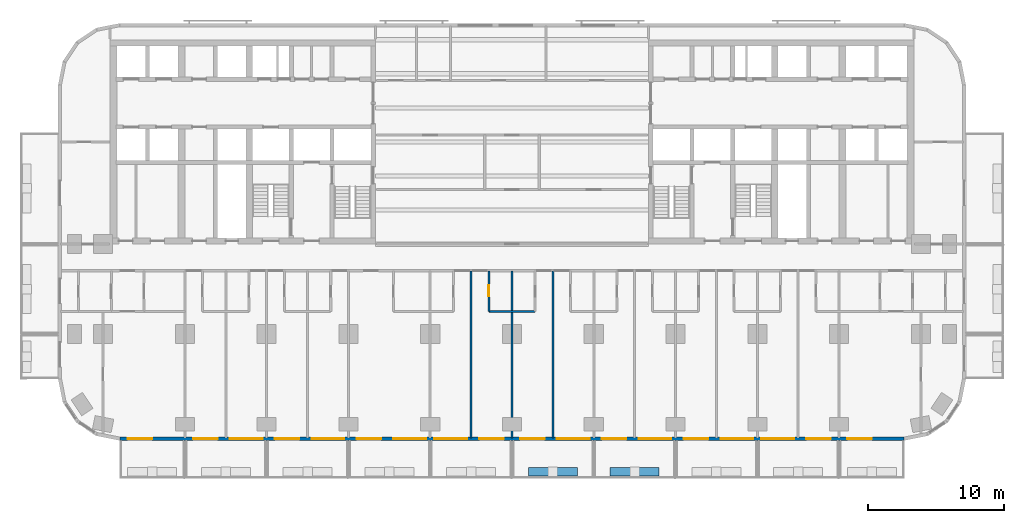
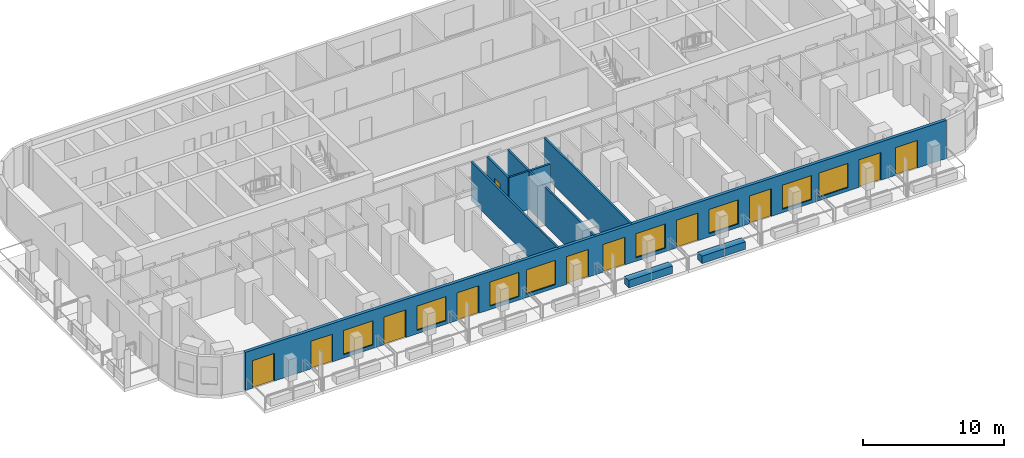
# One storey, part 5 of 15: 11 doors, 8 walls, 8 windows, 19 openings.
"""IFC4 building model written with IfcOpenShell, lengths in metres."""

from ifc_helpers import new_model, si_unit, direction, frame, frame_2d, origin, place, context, subcontext, project, spatial, rectangle, extrude, material, layer, layer_set, type_object, element, fill, save


model = new_model("IFC4")

# Units and contexts
model_context = context("Model", 3, precision=1e-05, world=origin(), true_north=direction((0.0, 1.0)))
body_context = subcontext(model_context, "Body", "Model", "MODEL_VIEW")
ifc_project = project(units=[si_unit("LENGTHUNIT", "METRE"), si_unit("AREAUNIT", "SQUARE_METRE"), si_unit("VOLUMEUNIT", "CUBIC_METRE"), si_unit("PLANEANGLEUNIT", "RADIAN"), si_unit("MASSUNIT", "GRAM", prefix="KILO")], contexts=[model_context])

# Site, building, storey
site_placement = place(None, origin())
site = spatial("IfcSite", under=ifc_project, at=site_placement, CompositionType="ELEMENT")
building_placement = place(site_placement, origin())
building = spatial("IfcBuilding", under=site, at=building_placement, Name="Torana Hotel and Residences", CompositionType="ELEMENT")
storey_placement = place(building_placement, frame((0.0, 0.0, 31.199951171875)))
storey = spatial("IfcBuildingStorey", under=building, at=storey_placement, Name="L06", CompositionType="ELEMENT", Elevation=31.199951171875)

# Wall, openings, doors, windows
ifc_material_1 = material(Name="Black aluminium composite panel", Category="aluminium")
ifc_layer_1 = layer(ifc_material_1, 0.00390625, Name="Cladding", Category="cladding")
ifc_material_2 = material(Name="Ventilated air cavity")
ifc_layer_2 = layer(ifc_material_2, 0.0400390625, Name="Ventilated cavity", Category="cavity")
ifc_material_3 = material(Name="Mineral wool insulation")
ifc_layer_3 = layer(ifc_material_3, 0.090087890625, Name="Insulation", Category="insulation")
ifc_material_4 = material(Name="Steel S280GD", Category="steel")
ifc_layer_4 = layer(ifc_material_4, 0.092041015625, Name="Steel stud frame", Category="structure")
ifc_material_5 = material(Name="Fire rated plasterboard")
ifc_layer_5 = layer(ifc_material_5, 0.011962890625, Name="Inner board", Category="finish")
ifc_layer_6 = layer(ifc_material_5, 0.011962890625, Name="Second board", Category="finish")
ifc_layer_set_1 = layer_set([ifc_layer_1, ifc_layer_2, ifc_layer_3, ifc_layer_4, ifc_layer_5, ifc_layer_6], Name="EW1 EXTERNAL WALL BLACK METAL CLAD 250")
wall_type_1 = type_object("IfcWallType", Name="EW1 EXTERNAL WALL BLACK METAL CLAD 250", PredefinedType="SOLIDWALL", material=ifc_layer_set_1)
wall_1_placement = place(storey_placement, frame((-28.775390625, -29.27490234375, 0.0), z_axis=(0.0, 0.0, 1.0), x_axis=(1.0, 0.0, 0.0)))
wall_1 = element("IfcWall", 1, at=wall_1_placement, inside=storey, type_object=wall_type_1, Name="External wall L06 e0.14", PredefinedType="SOLIDWALL", context=body_context, shape_type="SweptSolid", body=[
    extrude(rectangle(XDim=57.55078125, YDim=0.25, at=frame_2d((28.775390625, 0.0))), origin(), (0.0, 0.0, 1.0), 3.320068359375),
])
opening_1_placement = place(wall_1_placement, frame((0.575439453125, 0.0, 0.0)))
opening_1 = element("IfcOpeningElement", 2, at=opening_1_placement, cuts=wall_1, Name="Opening L06-E01", PredefinedType="OPENING", context=body_context, shape_type="SweptSolid", body=[
    extrude(rectangle(XDim=1.800048828125, YDim=2.39990234375, at=frame_2d((0.89990234375, 1.199951171875))), frame((0.0, 0.135009765625, 0.0), z_axis=(0.0, -1.0, 0.0), x_axis=(1.0, 0.0, 0.0)), (0.0, 0.0, 1.0), 0.27001953125),
])
opening_2_placement = place(wall_1_placement, frame((5.37548828125, 0.0, 0.0)))
opening_2 = element("IfcOpeningElement", 3, at=opening_2_placement, cuts=wall_1, Name="Opening L06-E02", PredefinedType="OPENING", context=body_context, shape_type="SweptSolid", body=[
    extrude(rectangle(XDim=1.800048828125, YDim=2.39990234375, at=frame_2d((0.89990234375, 1.199951171875))), frame((0.0, 0.135009765625, 0.0), z_axis=(0.0, -1.0, 0.0), x_axis=(1.0, 0.0, 0.0)), (0.0, 0.0, 1.0), 0.27001953125),
])
opening_3_placement = place(wall_1_placement, frame((8.075439453125, 0.0, 0.300048828125)))
opening_3 = element("IfcOpeningElement", 4, at=opening_3_placement, cuts=wall_1, Name="Opening W1", PredefinedType="OPENING", context=body_context, shape_type="SweptSolid", body=[
    extrude(rectangle(XDim=2.39990234375, YDim=2.10009765625, at=frame_2d((1.199951171875, 1.050048828125))), frame((0.0, 0.135009765625, 0.0), z_axis=(0.0, -1.0, 0.0), x_axis=(1.0, 0.0, 0.0)), (0.0, 0.0, 1.0), 0.27001953125),
])
opening_4_placement = place(wall_1_placement, frame((11.37548828125, 0.0, 0.0)))
opening_4 = element("IfcOpeningElement", 5, at=opening_4_placement, cuts=wall_1, Name="Opening L06-E03", PredefinedType="OPENING", context=body_context, shape_type="SweptSolid", body=[
    extrude(rectangle(XDim=1.800048828125, YDim=2.39990234375, at=frame_2d((0.89990234375, 1.199951171875))), frame((0.0, 0.135009765625, 0.0), z_axis=(0.0, -1.0, 0.0), x_axis=(1.0, 0.0, 0.0)), (0.0, 0.0, 1.0), 0.27001953125),
])
opening_5_placement = place(wall_1_placement, frame((14.075439453125, 0.0, 0.300048828125)))
opening_5 = element("IfcOpeningElement", 6, at=opening_5_placement, cuts=wall_1, Name="Opening W1", PredefinedType="OPENING", context=body_context, shape_type="SweptSolid", body=[
    extrude(rectangle(XDim=2.39990234375, YDim=2.10009765625, at=frame_2d((1.199951171875, 1.050048828125))), frame((0.0, 0.135009765625, 0.0), z_axis=(0.0, -1.0, 0.0), x_axis=(1.0, 0.0, 0.0)), (0.0, 0.0, 1.0), 0.27001953125),
])
opening_6_placement = place(wall_1_placement, frame((17.37548828125, 0.0, 0.0)))
opening_6 = element("IfcOpeningElement", 7, at=opening_6_placement, cuts=wall_1, Name="Opening L06-E04", PredefinedType="OPENING", context=body_context, shape_type="SweptSolid", body=[
    extrude(rectangle(XDim=1.800048828125, YDim=2.39990234375, at=frame_2d((0.89990234375, 1.199951171875))), frame((0.0, 0.135009765625, 0.0), z_axis=(0.0, -1.0, 0.0), x_axis=(1.0, 0.0, 0.0)), (0.0, 0.0, 1.0), 0.27001953125),
])
opening_7_placement = place(wall_1_placement, frame((20.075439453125, 0.0, 0.300048828125)))
opening_7 = element("IfcOpeningElement", 8, at=opening_7_placement, cuts=wall_1, Name="Opening W1", PredefinedType="OPENING", context=body_context, shape_type="SweptSolid", body=[
    extrude(rectangle(XDim=2.39990234375, YDim=2.10009765625, at=frame_2d((1.199951171875, 1.050048828125))), frame((0.0, 0.135009765625, 0.0), z_axis=(0.0, -1.0, 0.0), x_axis=(1.0, 0.0, 0.0)), (0.0, 0.0, 1.0), 0.27001953125),
])
opening_8_placement = place(wall_1_placement, frame((23.075439453125, 0.0, 0.300048828125)))
opening_8 = element("IfcOpeningElement", 9, at=opening_8_placement, cuts=wall_1, Name="Opening W1", PredefinedType="OPENING", context=body_context, shape_type="SweptSolid", body=[
    extrude(rectangle(XDim=2.39990234375, YDim=2.10009765625, at=frame_2d((1.199951171875, 1.050048828125))), frame((0.0, 0.135009765625, 0.0), z_axis=(0.0, -1.0, 0.0), x_axis=(1.0, 0.0, 0.0)), (0.0, 0.0, 1.0), 0.27001953125),
])
opening_9_placement = place(wall_1_placement, frame((26.37548828125, 0.0, 0.0)))
opening_9 = element("IfcOpeningElement", 10, at=opening_9_placement, cuts=wall_1, Name="Opening L06-E05", PredefinedType="OPENING", context=body_context, shape_type="SweptSolid", body=[
    extrude(rectangle(XDim=1.800048828125, YDim=2.39990234375, at=frame_2d((0.89990234375, 1.199951171875))), frame((0.0, 0.135009765625, 0.0), z_axis=(0.0, -1.0, 0.0), x_axis=(1.0, 0.0, 0.0)), (0.0, 0.0, 1.0), 0.27001953125),
])
opening_10_placement = place(wall_1_placement, frame((29.37548828125, 0.0, 0.0)))
opening_10 = element("IfcOpeningElement", 11, at=opening_10_placement, cuts=wall_1, Name="Opening L06-E06", PredefinedType="OPENING", context=body_context, shape_type="SweptSolid", body=[
    extrude(rectangle(XDim=1.800048828125, YDim=2.39990234375, at=frame_2d((0.89990234375, 1.199951171875))), frame((0.0, 0.135009765625, 0.0), z_axis=(0.0, -1.0, 0.0), x_axis=(1.0, 0.0, 0.0)), (0.0, 0.0, 1.0), 0.27001953125),
])
opening_11_placement = place(wall_1_placement, frame((32.075439453125, 0.0, 0.300048828125)))
opening_11 = element("IfcOpeningElement", 12, at=opening_11_placement, cuts=wall_1, Name="Opening W1", PredefinedType="OPENING", context=body_context, shape_type="SweptSolid", body=[
    extrude(rectangle(XDim=2.39990234375, YDim=2.10009765625, at=frame_2d((1.199951171875, 1.050048828125))), frame((0.0, 0.135009765625, 0.0), z_axis=(0.0, -1.0, 0.0), x_axis=(1.0, 0.0, 0.0)), (0.0, 0.0, 1.0), 0.27001953125),
])
opening_12_placement = place(wall_1_placement, frame((35.37548828125, 0.0, 0.0)))
opening_12 = element("IfcOpeningElement", 13, at=opening_12_placement, cuts=wall_1, Name="Opening L06-E07", PredefinedType="OPENING", context=body_context, shape_type="SweptSolid", body=[
    extrude(rectangle(XDim=1.800048828125, YDim=2.39990234375, at=frame_2d((0.89990234375, 1.199951171875))), frame((0.0, 0.135009765625, 0.0), z_axis=(0.0, -1.0, 0.0), x_axis=(1.0, 0.0, 0.0)), (0.0, 0.0, 1.0), 0.27001953125),
])
opening_13_placement = place(wall_1_placement, frame((38.075439453125, 0.0, 0.300048828125)))
opening_13 = element("IfcOpeningElement", 14, at=opening_13_placement, cuts=wall_1, Name="Opening W1", PredefinedType="OPENING", context=body_context, shape_type="SweptSolid", body=[
    extrude(rectangle(XDim=2.39990234375, YDim=2.10009765625, at=frame_2d((1.199951171875, 1.050048828125))), frame((0.0, 0.135009765625, 0.0), z_axis=(0.0, -1.0, 0.0), x_axis=(1.0, 0.0, 0.0)), (0.0, 0.0, 1.0), 0.27001953125),
])
opening_14_placement = place(wall_1_placement, frame((41.37548828125, 0.0, 0.0)))
opening_14 = element("IfcOpeningElement", 15, at=opening_14_placement, cuts=wall_1, Name="Opening L06-E08", PredefinedType="OPENING", context=body_context, shape_type="SweptSolid", body=[
    extrude(rectangle(XDim=1.800048828125, YDim=2.39990234375, at=frame_2d((0.89990234375, 1.199951171875))), frame((0.0, 0.135009765625, 0.0), z_axis=(0.0, -1.0, 0.0), x_axis=(1.0, 0.0, 0.0)), (0.0, 0.0, 1.0), 0.27001953125),
])
opening_15_placement = place(wall_1_placement, frame((44.075439453125, 0.0, 0.300048828125)))
opening_15 = element("IfcOpeningElement", 16, at=opening_15_placement, cuts=wall_1, Name="Opening W1", PredefinedType="OPENING", context=body_context, shape_type="SweptSolid", body=[
    extrude(rectangle(XDim=2.39990234375, YDim=2.10009765625, at=frame_2d((1.199951171875, 1.050048828125))), frame((0.0, 0.135009765625, 0.0), z_axis=(0.0, -1.0, 0.0), x_axis=(1.0, 0.0, 0.0)), (0.0, 0.0, 1.0), 0.27001953125),
])
opening_16_placement = place(wall_1_placement, frame((47.075439453125, 0.0, 0.300048828125)))
opening_16 = element("IfcOpeningElement", 17, at=opening_16_placement, cuts=wall_1, Name="Opening W1", PredefinedType="OPENING", context=body_context, shape_type="SweptSolid", body=[
    extrude(rectangle(XDim=2.39990234375, YDim=2.10009765625, at=frame_2d((1.199951171875, 1.050048828125))), frame((0.0, 0.135009765625, 0.0), z_axis=(0.0, -1.0, 0.0), x_axis=(1.0, 0.0, 0.0)), (0.0, 0.0, 1.0), 0.27001953125),
])
opening_17_placement = place(wall_1_placement, frame((50.37548828125, 0.0, 0.0)))
opening_17 = element("IfcOpeningElement", 18, at=opening_17_placement, cuts=wall_1, Name="Opening L06-E09", PredefinedType="OPENING", context=body_context, shape_type="SweptSolid", body=[
    extrude(rectangle(XDim=1.800048828125, YDim=2.39990234375, at=frame_2d((0.89990234375, 1.199951171875))), frame((0.0, 0.135009765625, 0.0), z_axis=(0.0, -1.0, 0.0), x_axis=(1.0, 0.0, 0.0)), (0.0, 0.0, 1.0), 0.27001953125),
])
opening_18_placement = place(wall_1_placement, frame((53.37548828125, 0.0, 0.0)))
opening_18 = element("IfcOpeningElement", 19, at=opening_18_placement, cuts=wall_1, Name="Opening L06-E10", PredefinedType="OPENING", context=body_context, shape_type="SweptSolid", body=[
    extrude(rectangle(XDim=1.800048828125, YDim=2.39990234375, at=frame_2d((0.89990234375, 1.199951171875))), frame((0.0, 0.135009765625, 0.0), z_axis=(0.0, -1.0, 0.0), x_axis=(1.0, 0.0, 0.0)), (0.0, 0.0, 1.0), 0.27001953125),
])
ifc_material_6 = material(Name="Dark glass in black aluminium frame", Category="aluminium")
door_type_1 = type_object("IfcDoorType", Name="DB1 BALCONY DOOR 1800x2400", OperationType="DOUBLE_DOOR_SINGLE_SWING", PredefinedType="DOOR", material=ifc_material_6)
door_1_placement = place(opening_1_placement, origin())
door_1 = element("IfcDoor", 20, at=door_1_placement, inside=storey, type_object=door_type_1, Name="Balcony door L06", OperationType="DOUBLE_DOOR_SINGLE_SWING", OverallHeight=2.39990234375, OverallWidth=1.800048828125, PredefinedType="DOOR", context=body_context, shape_type="SweptSolid", body=[
    extrude(rectangle(XDim=1.800048828125, YDim=2.39990234375, at=frame_2d((0.89990234375, 1.199951171875))), frame((0.0, 0.02490234375, 0.0), z_axis=(0.0, -1.0, 0.0), x_axis=(1.0, 0.0, 0.0)), (0.0, 0.0, 1.0), 0.050048828125),
])
fill(opening_1, door_1)
door_2_placement = place(opening_2_placement, frame((0.89990234375, 0.0, 0.0), z_axis=(0.0, 0.0, 1.0), x_axis=(-1.0, 0.0, 0.0)))
door_2 = element("IfcDoor", 21, at=door_2_placement, inside=storey, type_object=door_type_1, Name="Balcony door L06", OperationType="DOUBLE_DOOR_SINGLE_SWING", OverallHeight=2.39990234375, OverallWidth=1.800048828125, PredefinedType="DOOR", context=body_context, shape_type="SweptSolid", body=[
    extrude(rectangle(XDim=1.800048828125, YDim=2.39990234375, at=frame_2d((0.0, 1.199951171875))), frame((0.0, -0.02490234375, 0.0), z_axis=(0.0, 1.0, 0.0), x_axis=(-1.0, 0.0, 0.0)), (0.0, 0.0, 1.0), 0.050048828125),
])
fill(opening_2, door_2)
door_3_placement = place(opening_4_placement, frame((0.89990234375, 0.0, 0.0), z_axis=(0.0, 0.0, 1.0), x_axis=(-1.0, 0.0, 0.0)))
door_3 = element("IfcDoor", 22, at=door_3_placement, inside=storey, type_object=door_type_1, Name="Balcony door L06", OperationType="DOUBLE_DOOR_SINGLE_SWING", OverallHeight=2.39990234375, OverallWidth=1.800048828125, PredefinedType="DOOR", context=body_context, shape_type="SweptSolid", body=[
    extrude(rectangle(XDim=1.800048828125, YDim=2.39990234375, at=frame_2d((0.0, 1.199951171875))), frame((0.0, -0.02490234375, 0.0), z_axis=(0.0, 1.0, 0.0), x_axis=(-1.0, 0.0, 0.0)), (0.0, 0.0, 1.0), 0.050048828125),
])
fill(opening_4, door_3)
door_4_placement = place(opening_6_placement, frame((0.89990234375, 0.0, 0.0), z_axis=(0.0, 0.0, 1.0), x_axis=(-1.0, 0.0, 0.0)))
door_4 = element("IfcDoor", 23, at=door_4_placement, inside=storey, type_object=door_type_1, Name="Balcony door L06", OperationType="DOUBLE_DOOR_SINGLE_SWING", OverallHeight=2.39990234375, OverallWidth=1.800048828125, PredefinedType="DOOR", context=body_context, shape_type="SweptSolid", body=[
    extrude(rectangle(XDim=1.800048828125, YDim=2.39990234375, at=frame_2d((0.0, 1.199951171875))), frame((0.0, -0.02490234375, 0.0), z_axis=(0.0, 1.0, 0.0), x_axis=(-1.0, 0.0, 0.0)), (0.0, 0.0, 1.0), 0.050048828125),
])
fill(opening_6, door_4)
door_5_placement = place(opening_9_placement, frame((0.89990234375, 0.0, 0.0), z_axis=(0.0, 0.0, 1.0), x_axis=(-1.0, 0.0, 0.0)))
door_5 = element("IfcDoor", 24, at=door_5_placement, inside=storey, type_object=door_type_1, Name="Balcony door L06", OperationType="DOUBLE_DOOR_SINGLE_SWING", OverallHeight=2.39990234375, OverallWidth=1.800048828125, PredefinedType="DOOR", context=body_context, shape_type="SweptSolid", body=[
    extrude(rectangle(XDim=1.800048828125, YDim=2.39990234375, at=frame_2d((0.0, 1.199951171875))), frame((0.0, -0.02490234375, 0.0), z_axis=(0.0, 1.0, 0.0), x_axis=(-1.0, 0.0, 0.0)), (0.0, 0.0, 1.0), 0.050048828125),
])
fill(opening_9, door_5)
door_6_placement = place(opening_10_placement, frame((0.89990234375, 0.0, 0.0), z_axis=(0.0, 0.0, 1.0), x_axis=(-1.0, 0.0, 0.0)))
door_6 = element("IfcDoor", 25, at=door_6_placement, inside=storey, type_object=door_type_1, Name="Balcony door L06", OperationType="DOUBLE_DOOR_SINGLE_SWING", OverallHeight=2.39990234375, OverallWidth=1.800048828125, PredefinedType="DOOR", context=body_context, shape_type="SweptSolid", body=[
    extrude(rectangle(XDim=1.800048828125, YDim=2.39990234375, at=frame_2d((0.0, 1.199951171875))), frame((0.0, -0.02490234375, 0.0), z_axis=(0.0, 1.0, 0.0), x_axis=(-1.0, 0.0, 0.0)), (0.0, 0.0, 1.0), 0.050048828125),
])
fill(opening_10, door_6)
door_7_placement = place(opening_12_placement, frame((0.89990234375, 0.0, 0.0), z_axis=(0.0, 0.0, 1.0), x_axis=(-1.0, 0.0, 0.0)))
door_7 = element("IfcDoor", 26, at=door_7_placement, inside=storey, type_object=door_type_1, Name="Balcony door L06", OperationType="DOUBLE_DOOR_SINGLE_SWING", OverallHeight=2.39990234375, OverallWidth=1.800048828125, PredefinedType="DOOR", context=body_context, shape_type="SweptSolid", body=[
    extrude(rectangle(XDim=1.800048828125, YDim=2.39990234375, at=frame_2d((0.0, 1.199951171875))), frame((0.0, -0.02490234375, 0.0), z_axis=(0.0, 1.0, 0.0), x_axis=(-1.0, 0.0, 0.0)), (0.0, 0.0, 1.0), 0.050048828125),
])
fill(opening_12, door_7)
door_8_placement = place(opening_14_placement, frame((0.89990234375, 0.0, 0.0), z_axis=(0.0, 0.0, 1.0), x_axis=(-1.0, 0.0, 0.0)))
door_8 = element("IfcDoor", 27, at=door_8_placement, inside=storey, type_object=door_type_1, Name="Balcony door L06", OperationType="DOUBLE_DOOR_SINGLE_SWING", OverallHeight=2.39990234375, OverallWidth=1.800048828125, PredefinedType="DOOR", context=body_context, shape_type="SweptSolid", body=[
    extrude(rectangle(XDim=1.800048828125, YDim=2.39990234375, at=frame_2d((0.0, 1.199951171875))), frame((0.0, -0.02490234375, 0.0), z_axis=(0.0, 1.0, 0.0), x_axis=(-1.0, 0.0, 0.0)), (0.0, 0.0, 1.0), 0.050048828125),
])
fill(opening_14, door_8)
door_9_placement = place(opening_17_placement, frame((0.89990234375, 0.0, 0.0), z_axis=(0.0, 0.0, 1.0), x_axis=(-1.0, 0.0, 0.0)))
door_9 = element("IfcDoor", 28, at=door_9_placement, inside=storey, type_object=door_type_1, Name="Balcony door L06", OperationType="DOUBLE_DOOR_SINGLE_SWING", OverallHeight=2.39990234375, OverallWidth=1.800048828125, PredefinedType="DOOR", context=body_context, shape_type="SweptSolid", body=[
    extrude(rectangle(XDim=1.800048828125, YDim=2.39990234375, at=frame_2d((0.0, 1.199951171875))), frame((0.0, -0.02490234375, 0.0), z_axis=(0.0, 1.0, 0.0), x_axis=(-1.0, 0.0, 0.0)), (0.0, 0.0, 1.0), 0.050048828125),
])
fill(opening_17, door_9)
door_10_placement = place(opening_18_placement, frame((0.89990234375, 0.0, 0.0), z_axis=(0.0, 0.0, 1.0), x_axis=(-1.0, 0.0, 0.0)))
door_10 = element("IfcDoor", 29, at=door_10_placement, inside=storey, type_object=door_type_1, Name="Balcony door L06", OperationType="DOUBLE_DOOR_SINGLE_SWING", OverallHeight=2.39990234375, OverallWidth=1.800048828125, PredefinedType="DOOR", context=body_context, shape_type="SweptSolid", body=[
    extrude(rectangle(XDim=1.800048828125, YDim=2.39990234375, at=frame_2d((0.0, 1.199951171875))), frame((0.0, -0.02490234375, 0.0), z_axis=(0.0, 1.0, 0.0), x_axis=(-1.0, 0.0, 0.0)), (0.0, 0.0, 1.0), 0.050048828125),
])
fill(opening_18, door_10)
ifc_material_7 = material(Name="Dark glass in black aluminium frame", Category="aluminium")
window_type = type_object("IfcWindowType", Name="W1 HOTEL ROOM WINDOW 2400x2100", PartitioningType="SINGLE_PANEL", PredefinedType="WINDOW", material=ifc_material_7)
window_1_placement = place(opening_3_placement, origin())
window_1 = element("IfcWindow", 30, at=window_1_placement, inside=storey, type_object=window_type, Name="Window L06", OverallHeight=2.10009765625, OverallWidth=2.39990234375, PartitioningType="SINGLE_PANEL", PredefinedType="WINDOW", context=body_context, shape_type="SweptSolid", body=[
    extrude(rectangle(XDim=2.39990234375, YDim=2.10009765625, at=frame_2d((1.199951171875, 1.050048828125))), frame((0.0, 0.030029296875, 0.0), z_axis=(0.0, -1.0, 0.0), x_axis=(1.0, 0.0, 0.0)), (0.0, 0.0, 1.0), 0.06005859375),
])
fill(opening_3, window_1)
window_2_placement = place(opening_5_placement, origin())
window_2 = element("IfcWindow", 31, at=window_2_placement, inside=storey, type_object=window_type, Name="Window L06", OverallHeight=2.10009765625, OverallWidth=2.39990234375, PartitioningType="SINGLE_PANEL", PredefinedType="WINDOW", context=body_context, shape_type="SweptSolid", body=[
    extrude(rectangle(XDim=2.39990234375, YDim=2.10009765625, at=frame_2d((1.199951171875, 1.050048828125))), frame((0.0, 0.030029296875, 0.0), z_axis=(0.0, -1.0, 0.0), x_axis=(1.0, 0.0, 0.0)), (0.0, 0.0, 1.0), 0.06005859375),
])
fill(opening_5, window_2)
window_3_placement = place(opening_7_placement, origin())
window_3 = element("IfcWindow", 32, at=window_3_placement, inside=storey, type_object=window_type, Name="Window L06", OverallHeight=2.10009765625, OverallWidth=2.39990234375, PartitioningType="SINGLE_PANEL", PredefinedType="WINDOW", context=body_context, shape_type="SweptSolid", body=[
    extrude(rectangle(XDim=2.39990234375, YDim=2.10009765625, at=frame_2d((1.199951171875, 1.050048828125))), frame((0.0, 0.030029296875, 0.0), z_axis=(0.0, -1.0, 0.0), x_axis=(1.0, 0.0, 0.0)), (0.0, 0.0, 1.0), 0.06005859375),
])
fill(opening_7, window_3)
window_4_placement = place(opening_8_placement, origin())
window_4 = element("IfcWindow", 33, at=window_4_placement, inside=storey, type_object=window_type, Name="Window L06", OverallHeight=2.10009765625, OverallWidth=2.39990234375, PartitioningType="SINGLE_PANEL", PredefinedType="WINDOW", context=body_context, shape_type="SweptSolid", body=[
    extrude(rectangle(XDim=2.39990234375, YDim=2.10009765625, at=frame_2d((1.199951171875, 1.050048828125))), frame((0.0, 0.030029296875, 0.0), z_axis=(0.0, -1.0, 0.0), x_axis=(1.0, 0.0, 0.0)), (0.0, 0.0, 1.0), 0.06005859375),
])
fill(opening_8, window_4)
window_5_placement = place(opening_11_placement, origin())
window_5 = element("IfcWindow", 34, at=window_5_placement, inside=storey, type_object=window_type, Name="Window L06", OverallHeight=2.10009765625, OverallWidth=2.39990234375, PartitioningType="SINGLE_PANEL", PredefinedType="WINDOW", context=body_context, shape_type="SweptSolid", body=[
    extrude(rectangle(XDim=2.39990234375, YDim=2.10009765625, at=frame_2d((1.199951171875, 1.050048828125))), frame((0.0, 0.030029296875, 0.0), z_axis=(0.0, -1.0, 0.0), x_axis=(1.0, 0.0, 0.0)), (0.0, 0.0, 1.0), 0.06005859375),
])
fill(opening_11, window_5)
window_6_placement = place(opening_13_placement, origin())
window_6 = element("IfcWindow", 35, at=window_6_placement, inside=storey, type_object=window_type, Name="Window L06", OverallHeight=2.10009765625, OverallWidth=2.39990234375, PartitioningType="SINGLE_PANEL", PredefinedType="WINDOW", context=body_context, shape_type="SweptSolid", body=[
    extrude(rectangle(XDim=2.39990234375, YDim=2.10009765625, at=frame_2d((1.199951171875, 1.050048828125))), frame((0.0, 0.030029296875, 0.0), z_axis=(0.0, -1.0, 0.0), x_axis=(1.0, 0.0, 0.0)), (0.0, 0.0, 1.0), 0.06005859375),
])
fill(opening_13, window_6)
window_7_placement = place(opening_15_placement, origin())
window_7 = element("IfcWindow", 36, at=window_7_placement, inside=storey, type_object=window_type, Name="Window L06", OverallHeight=2.10009765625, OverallWidth=2.39990234375, PartitioningType="SINGLE_PANEL", PredefinedType="WINDOW", context=body_context, shape_type="SweptSolid", body=[
    extrude(rectangle(XDim=2.39990234375, YDim=2.10009765625, at=frame_2d((1.199951171875, 1.050048828125))), frame((0.0, 0.030029296875, 0.0), z_axis=(0.0, -1.0, 0.0), x_axis=(1.0, 0.0, 0.0)), (0.0, 0.0, 1.0), 0.06005859375),
])
fill(opening_15, window_7)
window_8_placement = place(opening_16_placement, origin())
window_8 = element("IfcWindow", 37, at=window_8_placement, inside=storey, type_object=window_type, Name="Window L06", OverallHeight=2.10009765625, OverallWidth=2.39990234375, PartitioningType="SINGLE_PANEL", PredefinedType="WINDOW", context=body_context, shape_type="SweptSolid", body=[
    extrude(rectangle(XDim=2.39990234375, YDim=2.10009765625, at=frame_2d((1.199951171875, 1.050048828125))), frame((0.0, 0.030029296875, 0.0), z_axis=(0.0, -1.0, 0.0), x_axis=(1.0, 0.0, 0.0)), (0.0, 0.0, 1.0), 0.06005859375),
])
fill(opening_16, window_8)

# Walls
ifc_material_8 = material(Name="Gypsum plasterboard")
ifc_layer_7 = layer(ifc_material_8, 0.012451171875, Name="Plasterboard", Category="finish")
ifc_layer_8 = layer(ifc_material_8, 0.012451171875, Name="Plasterboard", Category="finish")
ifc_layer_9 = layer(ifc_material_4, 0.10009765625, Name="Steel studs with mineral wool", Category="insulation")
ifc_layer_10 = layer(ifc_material_8, 0.012451171875, Name="Plasterboard", Category="finish")
ifc_layer_11 = layer(ifc_material_8, 0.012451171875, Name="Plasterboard", Category="finish")
ifc_layer_set_2 = layer_set([ifc_layer_7, ifc_layer_8, ifc_layer_9, ifc_layer_10, ifc_layer_11], Name="PARTITION 150 PLASTERBOARD")
wall_type_2 = type_object("IfcWallType", Name="PARTITION 150 PLASTERBOARD", PredefinedType="PARTITIONING", material=ifc_layer_set_2)
for number, where, z_axis, x_axis, name in (
    (38, (3.0, -29.219970703125, 0.0), (0.0, 0.0, 1.0), (0.0, 1.0, 0.0), "Partition L06"),
    (39, (0.0, -29.219970703125, 0.0), (0.0, 0.0, 1.0), (0.0, 1.0, 0.0), "Partition L06"),
):
    element("IfcWall", number, at=place(storey_placement, frame(where, z_axis=z_axis, x_axis=x_axis)), inside=storey, type_object=wall_type_2, Name=name, PredefinedType="PARTITIONING", context=body_context, shape_type="SweptSolid", body=[
        extrude(rectangle(XDim=12.27001953125, YDim=0.14990234375, at=frame_2d((6.135009765625, 0.0))), origin(), (0.0, 0.0, 1.0), 3.320068359375),
    ])

# Wall, opening, door
wall_2_placement = place(storey_placement, frame((-1.699951171875, -19.949951171875, 0.0), z_axis=(0.0, 0.0, 1.0), x_axis=(0.0, 1.0, 0.0)))
wall_2 = element("IfcWall", 40, at=wall_2_placement, inside=storey, type_object=wall_type_2, Name="Partition L06", PredefinedType="PARTITIONING", context=body_context, shape_type="SweptSolid", body=[
    extrude(rectangle(XDim=3.0, YDim=0.14990234375, at=frame_2d((1.5, 0.0))), origin(), (0.0, 0.0, 1.0), 3.320068359375),
])
opening_19_placement = place(wall_2_placement, frame((1.1201171875, 0.0, 0.0)))
opening_19 = element("IfcOpeningElement", 41, at=opening_19_placement, cuts=wall_2, Name="Opening L06-71", PredefinedType="OPENING", context=body_context, shape_type="SweptSolid", body=[
    extrude(rectangle(XDim=0.800048828125, YDim=2.10009765625, at=frame_2d((0.39990234375, 1.050048828125))), frame((0.0, 0.0849609375, 0.0), z_axis=(0.0, -1.0, 0.0), x_axis=(1.0, 0.0, 0.0)), (0.0, 0.0, 1.0), 0.169921875),
])
ifc_material_9 = material(Name="Timber door, painted", Category="wood")
door_type_2 = type_object("IfcDoorType", Name="BATH DOOR D13 800x2100", OperationType="SINGLE_SWING_LEFT", PredefinedType="DOOR", material=ifc_material_9)
door_11_placement = place(opening_19_placement, origin())
door_11 = element("IfcDoor", 42, at=door_11_placement, inside=storey, type_object=door_type_2, Name="Door L06", OperationType="SINGLE_SWING_LEFT", OverallHeight=2.10009765625, OverallWidth=0.800048828125, PredefinedType="DOOR", context=body_context, shape_type="SweptSolid", body=[
    extrude(rectangle(XDim=0.800048828125, YDim=2.10009765625, at=frame_2d((0.39990234375, 1.050048828125))), frame((0.0, 0.02490234375, 0.0), z_axis=(0.0, -1.0, 0.0), x_axis=(1.0, 0.0, 0.0)), (0.0, 0.0, 1.0), 0.050048828125),
])
fill(opening_19, door_11)

# Walls
wall_3_placement = place(storey_placement, frame((-3.0, -29.219970703125, 0.0), z_axis=(0.0, 0.0, 1.0), x_axis=(0.0, 1.0, 0.0)))
element("IfcWall", 43, at=wall_3_placement, inside=storey, type_object=wall_type_2, Name="Partition L06", PredefinedType="PARTITIONING", context=body_context, shape_type="SweptSolid", body=[
    extrude(rectangle(XDim=12.27001953125, YDim=0.14990234375, at=frame_2d((6.135009765625, 0.0))), origin(), (0.0, 0.0, 1.0), 3.320068359375),
])
wall_4_placement = place(storey_placement, frame((-1.699951171875, -19.949951171875, 0.0), z_axis=(0.0, 0.0, 1.0), x_axis=(1.0, 0.0, 0.0)))
element("IfcWall", 44, at=wall_4_placement, inside=storey, type_object=wall_type_2, Name="Partition L06", PredefinedType="PARTITIONING", context=body_context, shape_type="SweptSolid", body=[
    extrude(rectangle(XDim=3.39990234375, YDim=0.14990234375, at=frame_2d((1.699951171875, 0.0))), origin(), (0.0, 0.0, 1.0), 3.320068359375),
])
ifc_material_10 = material(Name="Concrete C40/50 precast", Category="concrete")
ifc_layer_12 = layer(ifc_material_10, 0.10009765625, Name="Planter shell", Category="structure")
ifc_material_11 = material(Name="Root resistant membrane")
ifc_layer_13 = layer(ifc_material_11, 0.00390625, Name="Waterproofing membrane", Category="membrane")
ifc_material_12 = material(Name="Drainage board with filter fleece")
ifc_layer_14 = layer(ifc_material_12, 0.02001953125, Name="Drainage board", Category="drainage")
ifc_material_13 = material(Name="Growing medium")
ifc_layer_15 = layer(ifc_material_13, 0.47607421875, Name="Planting substrate", Category="soil")
ifc_layer_set_3 = layer_set([ifc_layer_12, ifc_layer_13, ifc_layer_14, ifc_layer_15], Name="PL1 BALCONY PLANTER 600")
wall_type_3 = type_object("IfcWallType", Name="PL1 BALCONY PLANTER 600", PredefinedType="USERDEFINED", material=ifc_layer_set_3)
for number, where, z_axis, x_axis, name in (
    (45, (4.800048828125, -31.699951171875, 0.0), (0.0, 0.0, 1.0), (-1.0, 0.0, 0.0), "Planter 06"),
    (46, (10.800048828125, -31.699951171875, 0.0), (0.0, 0.0, 1.0), (-1.0, 0.0, 0.0), "Planter 07"),
):
    element("IfcWall", number, at=place(storey_placement, frame(where, z_axis=z_axis, x_axis=x_axis)), inside=storey, type_object=wall_type_3, Name=name, ObjectType="PLANTER", PredefinedType="USERDEFINED", context=body_context, shape_type="SweptSolid", body=[
        extrude(rectangle(XDim=3.60009765625, YDim=0.60009765625, at=frame_2d((1.800048828125, 0.0))), origin(), (0.0, 0.0, 1.0), 0.650146484375),
    ])

save(model, "model.ifc")
